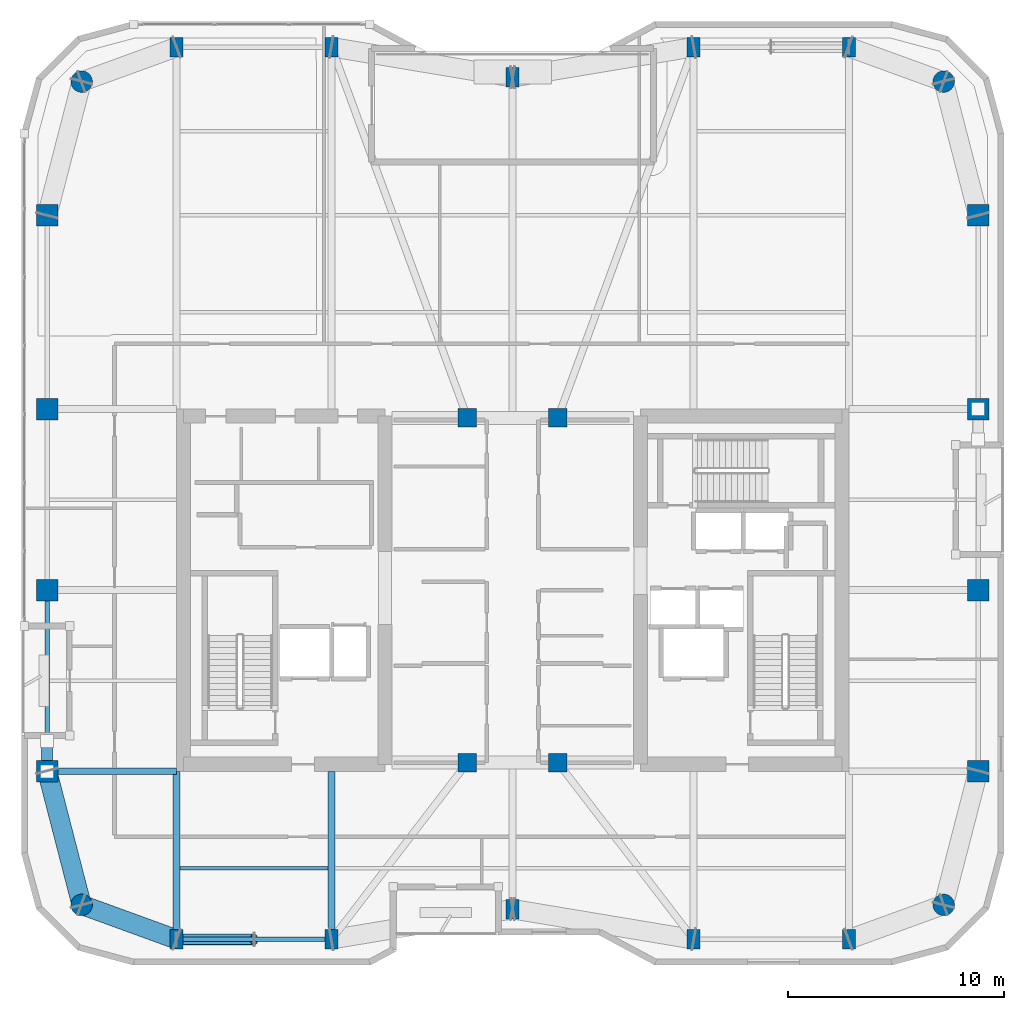
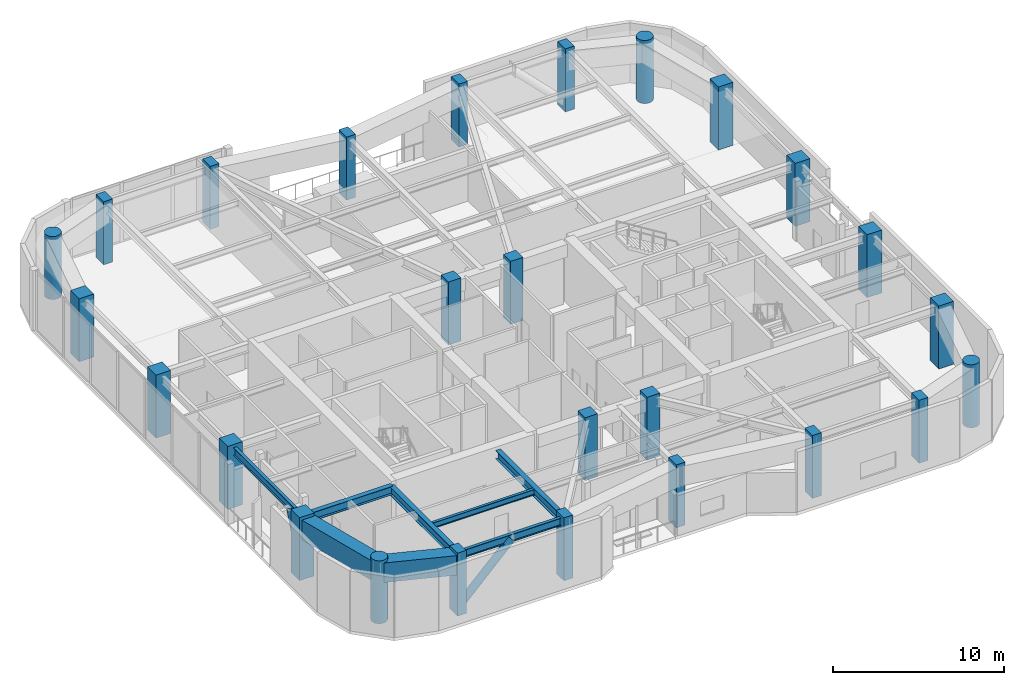
# One storey, part 1 of 19: 26 columns, 8 beams, 2 members.
"""IFC4 building model written with IfcOpenShell, lengths in metres."""

from ifc_helpers import new_model, si_unit, direction, frame, origin, origin_2d, place, context, subcontext, project, spatial, rectangle, hollow_rectangle, circle, hollow_circle, i_section, extrude, material, material_profile, profile_set, type_object, element, save


model = new_model("IFC4")

# Units and contexts
model_context = context("Model", 3, precision=1e-05, world=origin(), true_north=direction((0.0, 1.0)))
body_context = subcontext(model_context, "Body", "Model", "MODEL_VIEW")
ifc_project = project(units=[si_unit("LENGTHUNIT", "METRE"), si_unit("AREAUNIT", "SQUARE_METRE"), si_unit("VOLUMEUNIT", "CUBIC_METRE"), si_unit("PLANEANGLEUNIT", "RADIAN"), si_unit("MASSUNIT", "GRAM", prefix="KILO")], contexts=[model_context])

# Site, building, storey
site_placement = place(None, origin())
site = spatial("IfcSite", under=ifc_project, at=site_placement, CompositionType="ELEMENT")
building_placement = place(site_placement, origin())
building = spatial("IfcBuilding", under=site, at=building_placement, Name="Kiyonajd Concourse Tower", CompositionType="ELEMENT")
storey_placement = place(building_placement, frame((0.0, 0.0, 238.800048828125)))
storey = spatial("IfcBuildingStorey", under=building, at=storey_placement, Name="L60", CompositionType="ELEMENT", Elevation=238.800048828125)

# Columns
ifc_material_1 = material(Name="Concrete C60/75", Category="concrete")
ifc_material_profile_1 = material_profile(ifc_material_1, rectangle(XDim=0.60009765625, YDim=0.89990234375, at=origin_2d()), Name="RC-900x600")
ifc_profile_set_1 = profile_set([ifc_material_profile_1], Name="Concrete C60/75")
column_type_1 = type_object("IfcColumnType", Name="CL-BLADE-900", PredefinedType="COLUMN", material=ifc_profile_set_1)
for number, where, z_axis, x_axis, name in (
    (1, (32.39990234375, 19.800048828125, 0.0), (0.0, 0.0, 1.0), (1.0, 0.0, 0.0), "L60 Perimeter Bundled Tube Column"),
    (2, (32.39990234375, 61.199951171875, 0.0), (0.0, 0.0, 1.0), (1.0, 0.0, 0.0), "L60 Perimeter Bundled Tube Column"),
    (3, (39.60009765625, 19.800048828125, 0.0), (0.0, 0.0, 1.0), (1.0, 0.0, 0.0), "L60 Perimeter Bundled Tube Column"),
    (4, (39.60009765625, 61.199951171875, 0.0), (0.0, 0.0, 1.0), (1.0, 0.0, 0.0), "L60 Perimeter Bundled Tube Column"),
    (5, (48.0, 21.199951171875, 0.0), (0.0, 0.0, 1.0), (1.0, 0.0, 0.0), "L60 Perimeter Bundled Tube Column"),
    (6, (48.0, 59.800048828125, 0.0), (0.0, 0.0, 1.0), (1.0, 0.0, 0.0), "L60 Perimeter Bundled Tube Column"),
    (7, (56.39990234375, 19.800048828125, 0.0), (0.0, 0.0, 1.0), (1.0, 0.0, 0.0), "L60 Perimeter Bundled Tube Column"),
    (8, (56.39990234375, 61.199951171875, 0.0), (0.0, 0.0, 1.0), (1.0, 0.0, 0.0), "L60 Perimeter Bundled Tube Column"),
    (9, (63.60009765625, 19.800048828125, 0.0), (0.0, 0.0, 1.0), (1.0, 0.0, 0.0), "L60 Perimeter Bundled Tube Column"),
    (10, (63.60009765625, 61.199951171875, 0.0), (0.0, 0.0, 1.0), (1.0, 0.0, 0.0), "L60 Perimeter Bundled Tube Column"),
):
    element("IfcColumn", number, at=place(storey_placement, frame(where, z_axis=z_axis, x_axis=x_axis)), inside=storey, type_object=column_type_1, Name=name, PredefinedType="COLUMN", context=body_context, shape_type="SweptSolid", body=[
        extrude(rectangle(XDim=0.60009765625, YDim=0.89990234375, at=origin_2d()), origin(), (0.0, 0.0, 1.0), 4.5),
    ])
ifc_material_profile_2 = material_profile(ifc_material_1, circle(Radius=0.5, at=origin_2d()), Name="RCC-D1000")
ifc_profile_set_2 = profile_set([ifc_material_profile_2], Name="Concrete C60/75")
column_type_2 = type_object("IfcColumnType", Name="CL-RND-1000", PredefinedType="COLUMN", material=ifc_profile_set_2)
for number, where, z_axis, x_axis, name in (
    (11, (28.0, 21.39990234375, 0.0), (0.0, 0.0, 1.0), (1.0, 0.0, 0.0), "L60 Bundled Tube Corner Column South West"),
    (12, (68.0, 21.39990234375, 0.0), (0.0, 0.0, 1.0), (1.0, 0.0, 0.0), "L60 Bundled Tube Corner Column South East"),
    (13, (68.0, 59.60009765625, 0.0), (0.0, 0.0, 1.0), (1.0, 0.0, 0.0), "L60 Bundled Tube Corner Column North East"),
    (14, (28.0, 59.60009765625, 0.0), (0.0, 0.0, 1.0), (1.0, 0.0, 0.0), "L60 Bundled Tube Corner Column North West"),
):
    element("IfcColumn", number, at=place(storey_placement, frame(where, z_axis=z_axis, x_axis=x_axis)), inside=storey, type_object=column_type_2, Name=name, PredefinedType="COLUMN", context=body_context, shape_type="SweptSolid", body=[
        extrude(circle(Radius=0.5, at=origin_2d()), origin(), (0.0, 0.0, 1.0), 4.5),
    ])
ifc_material_profile_3 = material_profile(ifc_material_1, rectangle(XDim=1.0, YDim=1.0, at=origin_2d()), Name="RC-1000x1000")
ifc_profile_set_3 = profile_set([ifc_material_profile_3], Name="Concrete C60/75")
column_type_3 = type_object("IfcColumnType", Name="CL-TUBE-1000", PredefinedType="COLUMN", material=ifc_profile_set_3)
for number, where, z_axis, x_axis, name in (
    (15, (26.39990234375, 27.60009765625, 0.0), (0.0, 0.0, 1.0), (1.0, 0.0, 0.0), "L60 Perimeter Bundled Tube Column"),
    (16, (69.60009765625, 27.60009765625, 0.0), (0.0, 0.0, 1.0), (1.0, 0.0, 0.0), "L60 Perimeter Bundled Tube Column"),
    (17, (26.39990234375, 36.0, 0.0), (0.0, 0.0, 1.0), (1.0, 0.0, 0.0), "L60 Perimeter Bundled Tube Column"),
    (18, (69.60009765625, 36.0, 0.0), (0.0, 0.0, 1.0), (1.0, 0.0, 0.0), "L60 Perimeter Bundled Tube Column"),
    (19, (26.39990234375, 44.39990234375, 0.0), (0.0, 0.0, 1.0), (1.0, 0.0, 0.0), "L60 Perimeter Bundled Tube Column"),
    (20, (69.60009765625, 44.39990234375, 0.0), (0.0, 0.0, 1.0), (1.0, 0.0, 0.0), "L60 Perimeter Bundled Tube Column"),
    (21, (26.39990234375, 53.39990234375, 0.0), (0.0, 0.0, 1.0), (1.0, 0.0, 0.0), "L60 Perimeter Bundled Tube Column"),
    (22, (69.60009765625, 53.39990234375, 0.0), (0.0, 0.0, 1.0), (1.0, 0.0, 0.0), "L60 Perimeter Bundled Tube Column"),
):
    element("IfcColumn", number, at=place(storey_placement, frame(where, z_axis=z_axis, x_axis=x_axis)), inside=storey, type_object=column_type_3, Name=name, PredefinedType="COLUMN", context=body_context, shape_type="SweptSolid", body=[
        extrude(rectangle(XDim=1.0, YDim=1.0, at=origin_2d()), origin(), (0.0, 0.0, 1.0), 4.5),
    ])
ifc_material_profile_4 = material_profile(ifc_material_1, rectangle(XDim=0.85009765625, YDim=0.85009765625, at=origin_2d()), Name="RC-850x850")
ifc_profile_set_4 = profile_set([ifc_material_profile_4], Name="Concrete C60/75")
column_type_4 = type_object("IfcColumnType", Name="CL-TUBE-850", PredefinedType="COLUMN", material=ifc_profile_set_4)
for number, where, z_axis, x_axis, name in (
    (23, (45.89990234375, 28.0, 0.0), (0.0, 0.0, 1.0), (1.0, 0.0, 0.0), "L60 Core Tie Column South West"),
    (24, (50.10009765625, 28.0, 0.0), (0.0, 0.0, 1.0), (1.0, 0.0, 0.0), "L60 Core Tie Column South East"),
    (25, (45.89990234375, 44.0, 0.0), (0.0, 0.0, 1.0), (1.0, 0.0, 0.0), "L60 Core Tie Column North West"),
    (26, (50.10009765625, 44.0, 0.0), (0.0, 0.0, 1.0), (1.0, 0.0, 0.0), "L60 Core Tie Column North East"),
):
    element("IfcColumn", number, at=place(storey_placement, frame(where, z_axis=z_axis, x_axis=x_axis)), inside=storey, type_object=column_type_4, Name=name, PredefinedType="COLUMN", context=body_context, shape_type="SweptSolid", body=[
        extrude(rectangle(XDim=0.85009765625, YDim=0.85009765625, at=origin_2d()), origin(), (0.0, 0.0, 1.0), 4.5),
    ])

# Beams
ifc_material_2 = material(Name="Steel ASTM A992 Grade 50", Category="steel")
ifc_material_profile_5 = material_profile(ifc_material_2, i_section(OverallWidth=0.180908203125, OverallDepth=0.4169921875, WebThickness=0.010986328125, FlangeThickness=0.018310546875, at=origin_2d()), Name="W410X85")
ifc_profile_set_5 = profile_set([ifc_material_profile_5], Name="Steel ASTM A992 Grade 50")
beam_type_1 = type_object("IfcBeamType", Name="BM-JST-410", PredefinedType="JOIST", material=ifc_profile_set_5)
beam_1_placement = place(storey_placement, frame((32.56201171875, 23.10009765625, 4.071533203125), z_axis=(1.0, 0.0, 0.0), x_axis=(0.0, 1.0, 0.0)))
element("IfcBeam", 27, at=beam_1_placement, inside=storey, type_object=beam_type_1, Name="L60 Secondary Floor Joist", PredefinedType="JOIST", context=body_context, shape_type="SweptSolid", body=[
    extrude(i_section(OverallWidth=0.180908203125, OverallDepth=0.4169921875, WebThickness=0.010986328125, FlangeThickness=0.018310546875, at=origin_2d()), origin(), (0.0, 0.0, 1.0), 6.8759765625),
])
ifc_material_profile_6 = material_profile(ifc_material_2, i_section(OverallWidth=0.214111328125, OverallDepth=0.549072265625, WebThickness=0.0146484375, FlangeThickness=0.023681640625, at=origin_2d()), Name="W530X138")
ifc_profile_set_6 = profile_set([ifc_material_profile_6], Name="Steel ASTM A992 Grade 50")
beam_type_2 = type_object("IfcBeamType", Name="BM-SPAN-530A", PredefinedType="SPANDREL", material=ifc_profile_set_6)
beam_2_placement = place(storey_placement, frame((32.39990234375, 19.800048828125, 4.00537109375), z_axis=(1.0, 0.0, 0.0), x_axis=(0.0, 1.0, 0.0)))
element("IfcBeam", 28, at=beam_2_placement, inside=storey, type_object=beam_type_2, Name="L60 Perimeter Bundled Tube Spandrel", PredefinedType="SPANDREL", context=body_context, shape_type="SweptSolid", body=[
    extrude(i_section(OverallWidth=0.214111328125, OverallDepth=0.549072265625, WebThickness=0.0146484375, FlangeThickness=0.023681640625, at=origin_2d()), origin(), (0.0, 0.0, 1.0), 7.2001953125),
])
beam_3_placement = place(storey_placement, frame((26.39990234375, 36.0, 4.00537109375), z_axis=(0.0, -1.0, 0.0), x_axis=(1.0, 0.0, 0.0)))
element("IfcBeam", 29, at=beam_3_placement, inside=storey, type_object=beam_type_2, Name="L60 Perimeter Bundled Tube Spandrel", PredefinedType="SPANDREL", context=body_context, shape_type="SweptSolid", body=[
    extrude(i_section(OverallWidth=0.214111328125, OverallDepth=0.549072265625, WebThickness=0.0146484375, FlangeThickness=0.023681640625, at=origin_2d()), origin(), (0.0, 0.0, 1.0), 8.39990234375),
])
ifc_material_profile_7 = material_profile(ifc_material_2, i_section(OverallWidth=0.323974609375, OverallDepth=0.611083984375, WebThickness=0.0126953125, FlangeThickness=0.01904296875, at=origin_2d()), Name="W610X155")
ifc_profile_set_7 = profile_set([ifc_material_profile_7], Name="Steel ASTM A992 Grade 50")
beam_type_3 = type_object("IfcBeamType", Name="BM-TWR-610B", PredefinedType="BEAM", material=ifc_profile_set_7)
for number, where, z_axis, x_axis, name in (
    (30, (32.39990234375, 19.800048828125, 3.974365234375), (0.0, 1.0, 0.0), (-1.0, 0.0, 0.0), "L60 South Lease Girder"),
    (31, (39.60009765625, 19.800048828125, 3.974365234375), (0.0, 1.0, 0.0), (-1.0, 0.0, 0.0), "L60 South Lease Girder"),
):
    element("IfcBeam", number, at=place(storey_placement, frame(where, z_axis=z_axis, x_axis=x_axis)), inside=storey, type_object=beam_type_3, Name=name, PredefinedType="BEAM", context=body_context, shape_type="SweptSolid", body=[
        extrude(i_section(OverallWidth=0.323974609375, OverallDepth=0.611083984375, WebThickness=0.0126953125, FlangeThickness=0.01904296875, at=origin_2d()), origin(), (0.0, 0.0, 1.0), 7.800048828125),
    ])
beam_4_placement = place(storey_placement, frame((26.39990234375, 27.60009765625, 3.974365234375), z_axis=(1.0, 0.0, 0.0), x_axis=(0.0, 1.0, 0.0)))
element("IfcBeam", 32, at=beam_4_placement, inside=storey, type_object=beam_type_3, Name="L60 West Lease Girder", PredefinedType="BEAM", context=body_context, shape_type="SweptSolid", body=[
    extrude(i_section(OverallWidth=0.323974609375, OverallDepth=0.611083984375, WebThickness=0.0126953125, FlangeThickness=0.01904296875, at=origin_2d()), origin(), (0.0, 0.0, 1.0), 6.0),
])
ifc_material_3 = material(Name="Steel ASTM A572 Grade 50", Category="steel")
ifc_material_profile_8 = material_profile(ifc_material_3, hollow_rectangle(XDim=0.89990234375, YDim=1.39990234375, WallThickness=0.070068359375, at=origin_2d()), Name="BOX-1400x900x70")
ifc_profile_set_8 = profile_set([ifc_material_profile_8], Name="Steel ASTM A572 Grade 50")
beam_type_4 = type_object("IfcBeamType", Name="BM-XFER-1400", PredefinedType="BEAM", material=ifc_profile_set_8)
beam_5_placement = place(storey_placement, frame((26.39990234375, 27.60009765625, 3.579833984375), z_axis=(0.249884937687, -0.968275538221, 0.0), x_axis=(0.968275538221, 0.249884937687, 0.0)))
element("IfcBeam", 33, at=beam_5_placement, inside=storey, type_object=beam_type_4, Name="L60 Perimeter Bundled Tube Spandrel", PredefinedType="BEAM", context=body_context, shape_type="SweptSolid", body=[
    extrude(hollow_rectangle(XDim=0.89990234375, YDim=1.39990234375, WallThickness=0.070068359375, at=origin_2d()), origin(), (0.0, 0.0, 1.0), 6.4033203125),
])
beam_6_placement = place(storey_placement, frame((28.0, 21.39990234375, 3.579833984375), z_axis=(0.939801036019, -0.341722127901, 0.0), x_axis=(0.341722127901, 0.939801036019, 0.0)))
element("IfcBeam", 34, at=beam_6_placement, inside=storey, type_object=beam_type_4, Name="L60 Perimeter Bundled Tube Spandrel", PredefinedType="BEAM", context=body_context, shape_type="SweptSolid", body=[
    extrude(hollow_rectangle(XDim=0.89990234375, YDim=1.39990234375, WallThickness=0.070068359375, at=origin_2d()), origin(), (0.0, 0.0, 1.0), 4.681640625),
])

# Members
ifc_material_4 = material(Name="Steel ASTM A500 Grade C", Category="steel")
ifc_material_profile_9 = material_profile(ifc_material_4, hollow_circle(Radius=0.25390625, WallThickness=0.02197265625, at=origin_2d()), Name="CHS-508x22")
ifc_profile_set_9 = profile_set([ifc_material_profile_9], Name="Steel ASTM A500 Grade C")
member_type = type_object("IfcMemberType", Name="MB-PB-MID", PredefinedType="BRACE", material=ifc_profile_set_9)
member_1_placement = place(storey_placement, frame((32.39990234375, 19.800048828125, 0.300048828125), z_axis=(0.704187756773, 0.0, 0.710013804944), x_axis=(0.0, 1.0, 0.0)))
element("IfcMember", 35, at=member_1_placement, inside=storey, type_object=member_type, Name="L60 Upper Zone Hollow Tube Brace PBS", PredefinedType="BRACE", context=body_context, shape_type="SweptSolid", body=[
    extrude(hollow_circle(Radius=0.25390625, WallThickness=0.02197265625, at=origin_2d()), origin(), (0.0, 0.0, 1.0), 5.1123046875),
])
member_2_placement = place(storey_placement, frame((26.39990234375, 27.60009765625, 0.300048828125), z_axis=(0.0, 0.359828366716, 0.933018513486), x_axis=(-1.0, 0.0, 0.0)))
element("IfcMember", 36, at=member_2_placement, inside=storey, type_object=member_type, Name="L60 Upper Zone Hollow Tube Brace PBW", PredefinedType="BRACE", context=body_context, shape_type="SweptSolid", body=[
    extrude(hollow_circle(Radius=0.25390625, WallThickness=0.02197265625, at=origin_2d()), origin(), (0.0, 0.0, 1.0), 3.890380859375),
])

save(model, "model.ifc")
